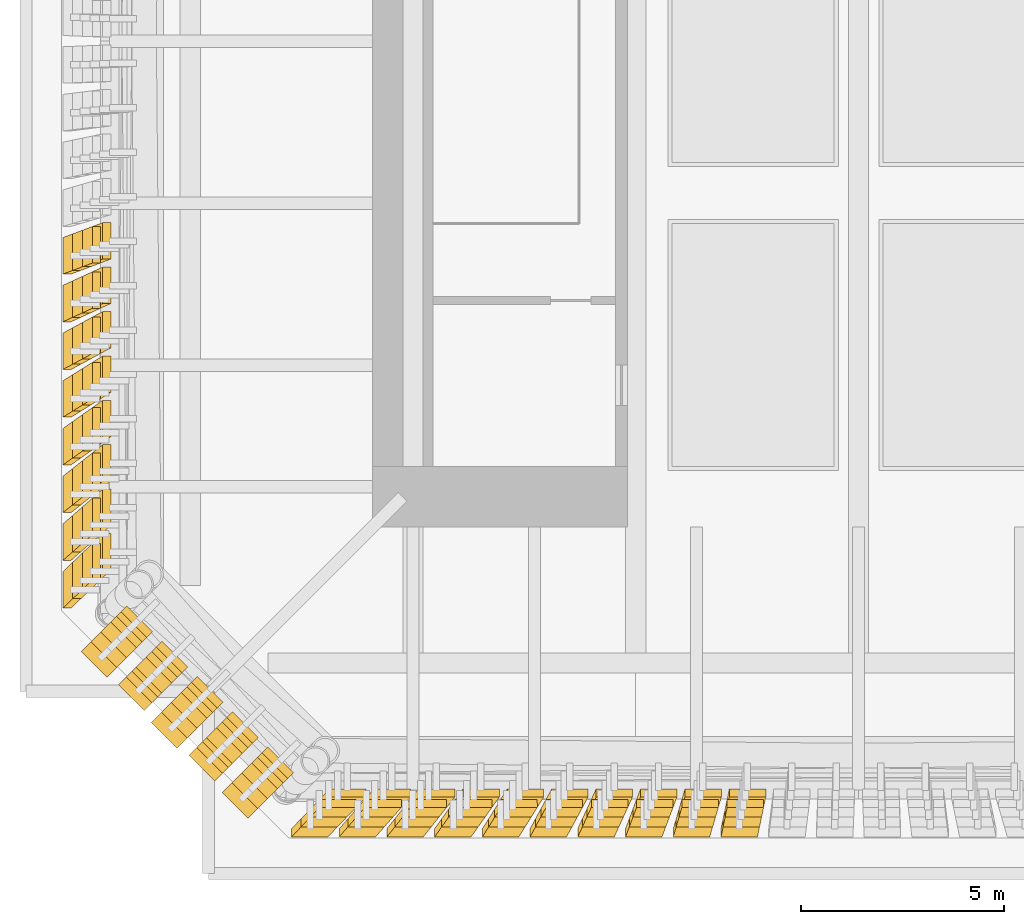
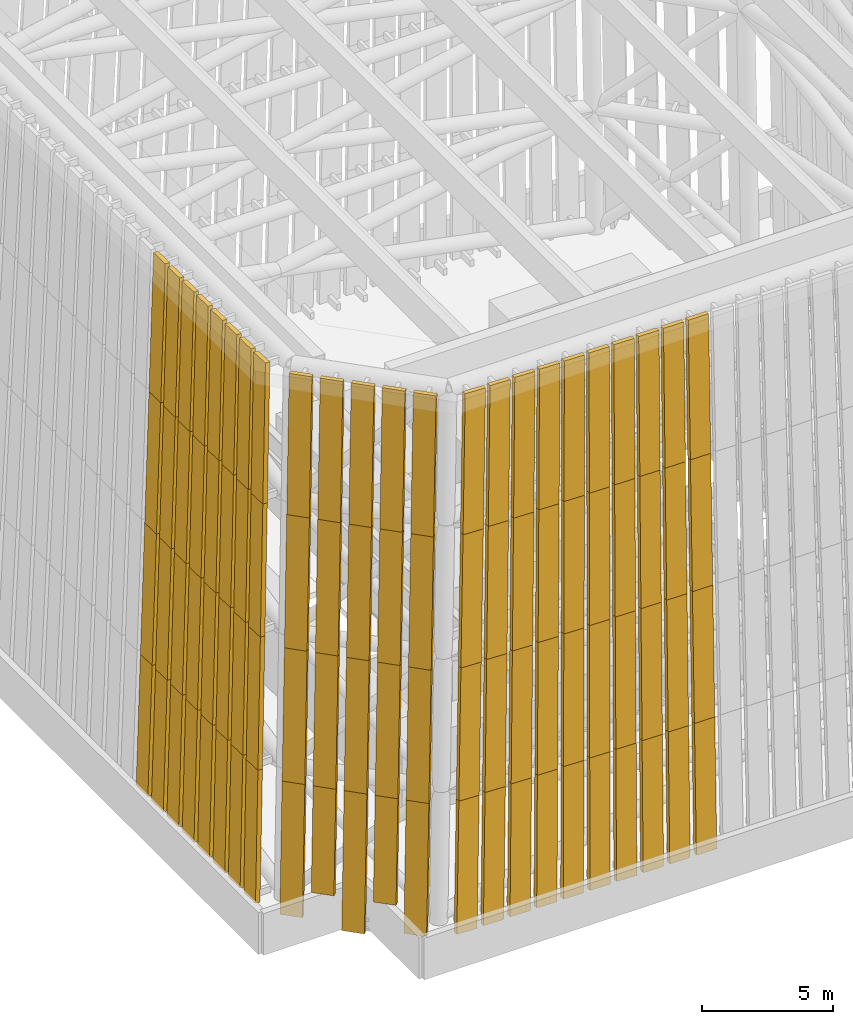
# One storey, part 7 of 13: 92 shading devices.
"""IFC4 building model written with IfcOpenShell, lengths in metres."""

from ifc_helpers import new_model, si_unit, direction, frame, origin, origin_2d, place, context, subcontext, project, spatial, rectangle, extrude, source, transform, mapped, material, material_profile, profile_set, type_object, element, save


model = new_model("IFC4")

# Units and contexts
model_context = context("Model", 3, precision=1e-05, world=origin(), true_north=direction((0.0, 1.0)))
body_context = subcontext(model_context, "Body", "Model", "MODEL_VIEW")
ifc_project = project(units=[si_unit("LENGTHUNIT", "METRE"), si_unit("AREAUNIT", "SQUARE_METRE"), si_unit("VOLUMEUNIT", "CUBIC_METRE"), si_unit("PLANEANGLEUNIT", "RADIAN"), si_unit("MASSUNIT", "GRAM", prefix="KILO")], contexts=[model_context])

# Site, building, storey
site_placement = place(None, origin())
site = spatial("IfcSite", under=ifc_project, at=site_placement, CompositionType="ELEMENT")
building_placement = place(site_placement, origin())
building = spatial("IfcBuilding", under=site, at=building_placement, Name="Peilmerk Tower", CompositionType="ELEMENT")
storey_placement = place(building_placement, frame((0.0, 0.0, 307.800048828125)))
storey = spatial("IfcBuildingStorey", under=building, at=storey_placement, Name="RF", CompositionType="ELEMENT", Elevation=307.800048828125)

# Shading devices
ifc_material = material(Name="GRP composite, board-marked concrete finish", Category="concrete")
ifc_material_profile = material_profile(ifc_material, rectangle(XDim=0.199951171875, YDim=0.89990234375, at=origin_2d()), Name="CF1 200x900")
ifc_profile_set = profile_set([ifc_material_profile], Name="GRP composite, board-marked concrete finish")
shading_device_type = type_object("IfcShadingDeviceType", Name="CF1 200x900 GRP crown fin", PredefinedType="USERDEFINED", material=ifc_profile_set)
shared_shape_1 = source(origin(), body_context, "Body", "SweptSolid", [
    extrude(rectangle(XDim=0.199951171875, YDim=0.89990234375, at=origin_2d()), origin(), (0.0, 0.0, 1.0), 6.009765625),
])
for number, where, z_axis, x_axis, name in (
    (1, (-15.31689453125, -18.796875, 0.0), (0.040258485407, 0.040258485407, 0.998377938811), (-0.705959810721, -0.705959810721, 0.056934096063), "Crown fin CF1 SW_S 1 tier 1"),
    (2, (-15.074951171875, -18.554931640625, 6.0), (0.040258485407, 0.040258485407, 0.998377938811), (-0.705959810721, -0.705959810721, 0.056934096063), "Crown fin CF1 SW_S 1 tier 2"),
    (3, (-14.8330078125, -18.31298828125, 12.0), (0.040258485407, 0.040258485407, 0.998377938811), (-0.705959810721, -0.705959810721, 0.056934096063), "Crown fin CF1 SW_S 1 tier 3"),
    (4, (-15.94482421875, -17.684814453125, 6.0), (0.040258485407, 0.040258485407, 0.998377938811), (-0.705959810721, -0.705959810721, 0.056934096063), "Crown fin CF1 SW_S 2 tier 2"),
    (5, (-15.702880859375, -17.44287109375, 12.0), (0.040258485407, 0.040258485407, 0.998377938811), (-0.705959810721, -0.705959810721, 0.056934096063), "Crown fin CF1 SW_S 2 tier 3"),
    (6, (-16.81494140625, -16.81494140625, 6.0), (0.040258485407, 0.040258485407, 0.998377938811), (-0.705959810721, -0.705959810721, 0.056934096063), "Crown fin CF1 SW_S 3 tier 2"),
    (7, (-16.572998046875, -16.572998046875, 12.0), (0.040258485407, 0.040258485407, 0.998377938811), (-0.705959810721, -0.705959810721, 0.056934096063), "Crown fin CF1 SW_S 3 tier 3"),
    (8, (-17.684814453125, -15.94482421875, 6.0), (0.040258485407, 0.040258485407, 0.998377938811), (-0.705959810721, -0.705959810721, 0.056934096063), "Crown fin CF1 SW_S 4 tier 2"),
    (9, (-17.44287109375, -15.702880859375, 12.0), (0.040258485407, 0.040258485407, 0.998377938811), (-0.705959810721, -0.705959810721, 0.056934096063), "Crown fin CF1 SW_S 4 tier 3"),
    (10, (-18.796875, -15.31689453125, 0.0), (0.040258485407, 0.040258485407, 0.998377938811), (-0.705959810721, -0.705959810721, 0.056934096063), "Crown fin CF1 SW_S 5 tier 1"),
    (11, (-18.554931640625, -15.074951171875, 6.0), (0.040258485407, 0.040258485407, 0.998377938811), (-0.705959810721, -0.705959810721, 0.056934096063), "Crown fin CF1 SW_S 5 tier 2"),
    (12, (-18.31298828125, -14.8330078125, 12.0), (0.040258485407, 0.040258485407, 0.998377938811), (-0.705959810721, -0.705959810721, 0.056934096063), "Crown fin CF1 SW_S 5 tier 3"),
):
    element("IfcShadingDevice", number, at=place(storey_placement, frame(where, z_axis=z_axis, x_axis=x_axis)), inside=storey, type_object=shading_device_type, Name=name, ObjectType="CROWN FIN", PredefinedType="USERDEFINED", context=body_context, shape_type="MappedRepresentation", body=[
        mapped(shared_shape_1, transform((0.0, 0.0, 0.0), scale=1.0)),
    ])
shared_shape_2 = source(origin(), body_context, "Body", "SweptSolid", [
    extrude(rectangle(XDim=0.199951171875, YDim=0.89990234375, at=origin_2d()), origin(), (0.0, 0.0, 1.0), 6.36572265625),
])
for number, where, z_axis, x_axis, name in (
    (13, (-14.591064453125, -18.071044921875, 18.0), (0.040269510679, 0.040269510679, 0.998377049526), (-0.705959181901, -0.705959181901, 0.056949688153), "Crown fin CF1 SW_S 1 tier 4"),
    (14, (-15.4609375, -17.200927734375, 18.0), (0.040231282973, 0.040231282973, 0.998380131884), (-0.705961361457, -0.705961361457, 0.056895626012), "Crown fin CF1 SW_S 2 tier 4"),
    (15, (-16.3310546875, -16.3310546875, 18.0), (0.040269510679, 0.040269510679, 0.998377049526), (-0.705959181901, -0.705959181901, 0.056949688153), "Crown fin CF1 SW_S 3 tier 4"),
    (16, (-17.200927734375, -15.4609375, 18.0), (0.040231282973, 0.040231282973, 0.998380131884), (-0.705961361457, -0.705961361457, 0.056895626012), "Crown fin CF1 SW_S 4 tier 4"),
    (17, (-18.071044921875, -14.591064453125, 18.0), (0.040269510679, 0.040269510679, 0.998377049526), (-0.705959181901, -0.705959181901, 0.056949688153), "Crown fin CF1 SW_S 5 tier 4"),
):
    element("IfcShadingDevice", number, at=place(storey_placement, frame(where, z_axis=z_axis, x_axis=x_axis)), inside=storey, type_object=shading_device_type, Name=name, ObjectType="CROWN FIN", PredefinedType="USERDEFINED", context=body_context, shape_type="MappedRepresentation", body=[
        mapped(shared_shape_2, transform((0.0, 0.0, 0.0), scale=1.0)),
    ])
shared_shape_3 = source(origin(), body_context, "Body", "SweptSolid", [
    extrude(rectangle(XDim=0.199951171875, YDim=0.89990234375, at=origin_2d()), origin(), (0.0, 0.0, 1.0), 4.807861328125),
])
for number, where, z_axis, x_axis, name in (
    (18, (-16.138427734375, -17.87841796875, 1.199951171875), (0.040268200199, 0.040268200199, 0.99837715524), (-0.705959256652, -0.705959256652, 0.056947834853), "Crown fin CF1 SW_S 2 tier 1"),
    (19, (-17.87841796875, -16.138427734375, 1.199951171875), (0.040268200199, 0.040268200199, 0.99837715524), (-0.705959256652, -0.705959256652, 0.056947834853), "Crown fin CF1 SW_S 4 tier 1"),
):
    element("IfcShadingDevice", number, at=place(storey_placement, frame(where, z_axis=z_axis, x_axis=x_axis)), inside=storey, type_object=shading_device_type, Name=name, ObjectType="CROWN FIN", PredefinedType="USERDEFINED", context=body_context, shape_type="MappedRepresentation", body=[
        mapped(shared_shape_3, transform((0.0, 0.0, 0.0), scale=1.0)),
    ])
shared_shape_4 = source(origin(), body_context, "Body", "SweptSolid", [
    extrude(rectangle(XDim=0.199951171875, YDim=0.89990234375, at=origin_2d()), origin(), (0.0, 0.0, 1.0), 6.310302734375),
])
shading_device_1_placement = place(storey_placement, frame((-17.06884765625, -17.06884765625, -0.300048828125), z_axis=(0.040236964191, 0.040236964191, 0.998379673985), x_axis=(-0.705961037673, -0.705961037673, 0.056903660467)))
element("IfcShadingDevice", 20, at=shading_device_1_placement, inside=storey, type_object=shading_device_type, Name="Crown fin CF1 SW_S 3 tier 1", ObjectType="CROWN FIN", PredefinedType="USERDEFINED", context=body_context, shape_type="MappedRepresentation", body=[
    mapped(shared_shape_4, transform((0.0, 0.0, 0.0), scale=1.0)),
])
shared_shape_5 = source(origin(), body_context, "Body", "SweptSolid", [
    extrude(rectangle(XDim=0.199951171875, YDim=0.89990234375, at=origin_2d()), origin(), (0.0, 0.0, 1.0), 6.00927734375),
])
for number, where, z_axis, x_axis, name in (
    (21, (-13.54638671875, -19.541015625, 0.0), (0.038554865392, 0.040261192417, 0.998445070467), (0.001553524468, -0.999189189486, 0.040231208987), "Crown fin CF1 SE_S 24 tier 1"),
    (22, (-13.314697265625, -19.299072265625, 6.0), (0.03859543174, 0.04026112932, 0.99844350572), (0.001555156602, -0.999189192028, 0.040231082785), "Crown fin CF1 SE_S 24 tier 2"),
    (23, (-13.082763671875, -19.05712890625, 12.0), (0.03859543174, 0.04026112932, 0.99844350572), (0.001555156602, -0.999189192028, 0.040231082785), "Crown fin CF1 SE_S 24 tier 3"),
    (24, (-19.541015625, -13.54638671875, 0.0), (0.040261192417, 0.038554865392, 0.998445070467), (-0.999189189486, 0.001553524468, 0.040231208987), "Crown fin CF1 SW_W 1 tier 1"),
    (25, (-19.299072265625, -13.314697265625, 6.0), (0.04026112932, 0.03859543174, 0.99844350572), (-0.999189192028, 0.001555156602, 0.040231082785), "Crown fin CF1 SW_W 1 tier 2"),
    (26, (-19.05712890625, -13.082763671875, 12.0), (0.04026112932, 0.03859543174, 0.99844350572), (-0.999189192028, 0.001555156602, 0.040231082785), "Crown fin CF1 SW_W 1 tier 3"),
):
    element("IfcShadingDevice", number, at=place(storey_placement, frame(where, z_axis=z_axis, x_axis=x_axis)), inside=storey, type_object=shading_device_type, Name=name, ObjectType="CROWN FIN", PredefinedType="USERDEFINED", context=body_context, shape_type="MappedRepresentation", body=[
        mapped(shared_shape_5, transform((0.0, 0.0, 0.0), scale=1.0)),
    ])
shared_shape_6 = source(origin(), body_context, "Body", "SweptSolid", [
    extrude(rectangle(XDim=0.199951171875, YDim=0.89990234375, at=origin_2d()), origin(), (0.0, 0.0, 1.0), 6.365478515625),
])
for number, where, z_axis, x_axis, name in (
    (27, (-12.850830078125, -18.815185546875, 18.0), (0.038546296104, 0.040272249661, 0.9984449554), (0.001553606433, -0.999188743885, 0.040242271305), "Crown fin CF1 SE_S 24 tier 4"),
    (28, (-18.815185546875, -12.850830078125, 18.0), (0.040272249661, 0.038546296104, 0.9984449554), (-0.999188743885, 0.001553606433, 0.040242271305), "Crown fin CF1 SW_W 1 tier 4"),
):
    element("IfcShadingDevice", number, at=place(storey_placement, frame(where, z_axis=z_axis, x_axis=x_axis)), inside=storey, type_object=shading_device_type, Name=name, ObjectType="CROWN FIN", PredefinedType="USERDEFINED", context=body_context, shape_type="MappedRepresentation", body=[
        mapped(shared_shape_6, transform((0.0, 0.0, 0.0), scale=1.0)),
    ])
shared_shape_7 = source(origin(), body_context, "Body", "SweptSolid", [
    extrude(rectangle(XDim=0.199951171875, YDim=0.89990234375, at=origin_2d()), origin(), (0.0, 0.0, 1.0), 6.008544921875),
])
for number, where, z_axis, x_axis, name in (
    (29, (-12.36865234375, -19.541015625, 0.0), (0.035268375827, 0.040266083462, 0.998566364439), (0.001421272027, -0.999188992395, 0.040240992324), "Crown fin CF1 SE_S 23 tier 1"),
    (30, (-12.15673828125, -19.299072265625, 6.0), (0.035227794511, 0.040266141131, 0.99856779458), (0.001419638687, -0.999188990071, 0.040241107683), "Crown fin CF1 SE_S 23 tier 2"),
    (31, (-11.945068359375, -19.05712890625, 12.0), (0.035227794511, 0.040266141131, 0.99856779458), (0.001419638687, -0.999188990071, 0.040241107683), "Crown fin CF1 SE_S 23 tier 3"),
    (32, (-19.541015625, -12.36865234375, 0.0), (0.040266083462, 0.035268375827, 0.998566364439), (-0.999188992395, 0.001421272027, 0.040240992324), "Crown fin CF1 SW_W 2 tier 1"),
    (33, (-19.299072265625, -12.15673828125, 6.0), (0.040266141131, 0.035227794511, 0.99856779458), (-0.999188990071, 0.001419638687, 0.040241107683), "Crown fin CF1 SW_W 2 tier 2"),
    (34, (-19.05712890625, -11.945068359375, 12.0), (0.040266141131, 0.035227794511, 0.99856779458), (-0.999188990071, 0.001419638687, 0.040241107683), "Crown fin CF1 SW_W 2 tier 3"),
):
    element("IfcShadingDevice", number, at=place(storey_placement, frame(where, z_axis=z_axis, x_axis=x_axis)), inside=storey, type_object=shading_device_type, Name=name, ObjectType="CROWN FIN", PredefinedType="USERDEFINED", context=body_context, shape_type="MappedRepresentation", body=[
        mapped(shared_shape_7, transform((0.0, 0.0, 0.0), scale=1.0)),
    ])
shared_shape_8 = source(origin(), body_context, "Body", "SweptSolid", [
    extrude(rectangle(XDim=0.199951171875, YDim=0.89990234375, at=origin_2d()), origin(), (0.0, 0.0, 1.0), 6.364501953125),
])
for number, where, z_axis, x_axis, name in (
    (35, (-11.7333984375, -18.815185546875, 18.0), (0.035213786084, 0.040277206305, 0.998567842423), (0.00141946476, -0.999188544096, 0.040252185873), "Crown fin CF1 SE_S 23 tier 4"),
    (36, (-18.815185546875, -11.7333984375, 18.0), (0.040277206305, 0.035213786084, 0.998567842423), (-0.999188544096, 0.00141946476, 0.040252185873), "Crown fin CF1 SW_W 2 tier 4"),
):
    element("IfcShadingDevice", number, at=place(storey_placement, frame(where, z_axis=z_axis, x_axis=x_axis)), inside=storey, type_object=shading_device_type, Name=name, ObjectType="CROWN FIN", PredefinedType="USERDEFINED", context=body_context, shape_type="MappedRepresentation", body=[
        mapped(shared_shape_8, transform((0.0, 0.0, 0.0), scale=1.0)),
    ])
shared_shape_9 = source(origin(), body_context, "Body", "SweptSolid", [
    extrude(rectangle(XDim=0.199951171875, YDim=0.89990234375, at=origin_2d()), origin(), (0.0, 0.0, 1.0), 6.0078125),
])
for number, where, z_axis, x_axis, name in (
    (37, (-11.190673828125, -19.541015625, 0.0), (0.031899551915, 0.04027064452, 0.998679474996), (0.001285658431, -0.999188808579, 0.040250116676), "Crown fin CF1 SE_S 22 tier 1"),
    (38, (-10.9990234375, -19.299072265625, 6.0), (0.031858956815, 0.040270696689, 0.998680768744), (0.001284023979, -0.999188806477, 0.040250221046), "Crown fin CF1 SE_S 22 tier 2"),
    (39, (-10.8076171875, -19.05712890625, 12.0), (0.031899551915, 0.04027064452, 0.998679474996), (0.001285658431, -0.999188808579, 0.040250116676), "Crown fin CF1 SE_S 22 tier 3"),
    (40, (-19.541015625, -11.190673828125, 0.0), (0.04027064452, 0.031899551915, 0.998679474996), (-0.999188808579, 0.001285658431, 0.040250116676), "Crown fin CF1 SW_W 3 tier 1"),
    (41, (-19.299072265625, -10.9990234375, 6.0), (0.040270696689, 0.031858956815, 0.998680768744), (-0.999188806477, 0.001284023979, 0.040250221046), "Crown fin CF1 SW_W 3 tier 2"),
    (42, (-19.05712890625, -10.8076171875, 12.0), (0.04027064452, 0.031899551915, 0.998679474996), (-0.999188808579, 0.001285658431, 0.040250116676), "Crown fin CF1 SW_W 3 tier 3"),
):
    element("IfcShadingDevice", number, at=place(storey_placement, frame(where, z_axis=z_axis, x_axis=x_axis)), inside=storey, type_object=shading_device_type, Name=name, ObjectType="CROWN FIN", PredefinedType="USERDEFINED", context=body_context, shape_type="MappedRepresentation", body=[
        mapped(shared_shape_9, transform((0.0, 0.0, 0.0), scale=1.0)),
    ])
shared_shape_10 = source(origin(), body_context, "Body", "SweptSolid", [
    extrude(rectangle(XDim=0.199951171875, YDim=0.89990234375, at=origin_2d()), origin(), (0.0, 0.0, 1.0), 6.36376953125),
])
for number, where, z_axis, x_axis, name in (
    (43, (-10.615966796875, -18.815185546875, 18.0), (0.031880100984, 0.040281716045, 0.998679649594), (0.001285228315, -0.999188362298, 0.040261207578), "Crown fin CF1 SE_S 22 tier 4"),
    (44, (-18.815185546875, -10.615966796875, 18.0), (0.040281716045, 0.031880100984, 0.998679649594), (-0.999188362298, 0.001285228315, 0.040261207578), "Crown fin CF1 SW_W 3 tier 4"),
):
    element("IfcShadingDevice", number, at=place(storey_placement, frame(where, z_axis=z_axis, x_axis=x_axis)), inside=storey, type_object=shading_device_type, Name=name, ObjectType="CROWN FIN", PredefinedType="USERDEFINED", context=body_context, shape_type="MappedRepresentation", body=[
        mapped(shared_shape_10, transform((0.0, 0.0, 0.0), scale=1.0)),
    ])
shared_shape_11 = source(origin(), body_context, "Body", "SweptSolid", [
    extrude(rectangle(XDim=0.199951171875, YDim=0.89990234375, at=origin_2d()), origin(), (0.0, 0.0, 1.0), 6.00732421875),
])
for number, where, z_axis, x_axis, name in (
    (45, (-10.0126953125, -19.541015625, 0.0), (0.028529640468, 0.040274748865, 0.998781259445), (0.001149957131, -0.999188643152, 0.040258328266), "Crown fin CF1 SE_S 21 tier 1"),
    (46, (-9.84130859375, -19.299072265625, 6.0), (0.028529640468, 0.040274748865, 0.998781259445), (0.001149957131, -0.999188643152, 0.040258328266), "Crown fin CF1 SE_S 21 tier 2"),
    (47, (-9.669921875, -19.05712890625, 12.0), (0.028529640468, 0.040274748865, 0.998781259445), (0.001149957131, -0.999188643152, 0.040258328266), "Crown fin CF1 SE_S 21 tier 3"),
    (48, (-19.541015625, -10.0126953125, 0.0), (0.040274748865, 0.028529640468, 0.998781259445), (-0.999188643152, 0.001149957131, 0.040258328266), "Crown fin CF1 SW_W 4 tier 1"),
    (49, (-19.299072265625, -9.84130859375, 6.0), (0.040274748865, 0.028529640468, 0.998781259445), (-0.999188643152, 0.001149957131, 0.040258328266), "Crown fin CF1 SW_W 4 tier 2"),
    (50, (-19.05712890625, -9.669921875, 12.0), (0.040274748865, 0.028529640468, 0.998781259445), (-0.999188643152, 0.001149957131, 0.040258328266), "Crown fin CF1 SW_W 4 tier 3"),
):
    element("IfcShadingDevice", number, at=place(storey_placement, frame(where, z_axis=z_axis, x_axis=x_axis)), inside=storey, type_object=shading_device_type, Name=name, ObjectType="CROWN FIN", PredefinedType="USERDEFINED", context=body_context, shape_type="MappedRepresentation", body=[
        mapped(shared_shape_11, transform((0.0, 0.0, 0.0), scale=1.0)),
    ])
shared_shape_12 = source(origin(), body_context, "Body", "SweptSolid", [
    extrude(rectangle(XDim=0.199951171875, YDim=0.89990234375, at=origin_2d()), origin(), (0.0, 0.0, 1.0), 6.36328125),
])
for number, where, z_axis, x_axis, name in (
    (51, (-9.49853515625, -18.815185546875, 18.0), (0.028545351571, 0.040285778427, 0.998780365726), (0.001150906016, -0.999188198517, 0.040269335217), "Crown fin CF1 SE_S 21 tier 4"),
    (52, (-18.815185546875, -9.49853515625, 18.0), (0.040285778427, 0.028545351571, 0.998780365726), (-0.999188198517, 0.001150906016, 0.040269335217), "Crown fin CF1 SW_W 4 tier 4"),
):
    element("IfcShadingDevice", number, at=place(storey_placement, frame(where, z_axis=z_axis, x_axis=x_axis)), inside=storey, type_object=shading_device_type, Name=name, ObjectType="CROWN FIN", PredefinedType="USERDEFINED", context=body_context, shape_type="MappedRepresentation", body=[
        mapped(shared_shape_12, transform((0.0, 0.0, 0.0), scale=1.0)),
    ])
shared_shape_13 = source(origin(), body_context, "Body", "SweptSolid", [
    extrude(rectangle(XDim=0.199951171875, YDim=0.89990234375, at=origin_2d()), origin(), (0.0, 0.0, 1.0), 6.0068359375),
])
for number, where, z_axis, x_axis, name in (
    (53, (-8.834716796875, -19.541015625, 0.0), (0.025199374381, 0.040278354858, 0.998870685154), (0.001015813679, -0.999188497797, 0.040265543491), "Crown fin CF1 SE_S 20 tier 1"),
    (54, (-8.683349609375, -19.299072265625, 6.0), (0.025158755976, 0.040278396078, 0.998871707381), (0.001014177347, -0.999188496135, 0.040265625972), "Crown fin CF1 SE_S 20 tier 2"),
    (55, (-8.5322265625, -19.05712890625, 12.0), (0.025158755976, 0.040278396078, 0.998871707381), (0.001014177347, -0.999188496135, 0.040265625972), "Crown fin CF1 SE_S 20 tier 3"),
    (56, (-19.541015625, -8.834716796875, 0.0), (0.040278354858, 0.025199374381, 0.998870685154), (-0.999188497797, 0.001015813679, 0.040265543491), "Crown fin CF1 SW_W 5 tier 1"),
    (57, (-19.299072265625, -8.683349609375, 6.0), (0.040278396078, 0.025158755976, 0.998871707381), (-0.999188496135, 0.001014177347, 0.040265625972), "Crown fin CF1 SW_W 5 tier 2"),
    (58, (-19.05712890625, -8.5322265625, 12.0), (0.040278396078, 0.025158755976, 0.998871707381), (-0.999188496135, 0.001014177347, 0.040265625972), "Crown fin CF1 SW_W 5 tier 3"),
):
    element("IfcShadingDevice", number, at=place(storey_placement, frame(where, z_axis=z_axis, x_axis=x_axis)), inside=storey, type_object=shading_device_type, Name=name, ObjectType="CROWN FIN", PredefinedType="USERDEFINED", context=body_context, shape_type="MappedRepresentation", body=[
        mapped(shared_shape_13, transform((0.0, 0.0, 0.0), scale=1.0)),
    ])
shared_shape_14 = source(origin(), body_context, "Body", "SweptSolid", [
    extrude(rectangle(XDim=0.199951171875, YDim=0.89990234375, at=origin_2d()), origin(), (0.0, 0.0, 1.0), 6.362548828125),
])
for number, where, z_axis, x_axis, name in (
    (59, (-8.381103515625, -18.815185546875, 18.0), (0.025171302271, 0.040289431989, 0.998870946225), (0.001014961568, -0.999188051205, 0.040276645628), "Crown fin CF1 SE_S 20 tier 4"),
    (60, (-18.815185546875, -8.381103515625, 18.0), (0.040289431989, 0.025171302271, 0.998870946225), (-0.999188051205, 0.001014961568, 0.040276645628), "Crown fin CF1 SW_W 5 tier 4"),
):
    element("IfcShadingDevice", number, at=place(storey_placement, frame(where, z_axis=z_axis, x_axis=x_axis)), inside=storey, type_object=shading_device_type, Name=name, ObjectType="CROWN FIN", PredefinedType="USERDEFINED", context=body_context, shape_type="MappedRepresentation", body=[
        mapped(shared_shape_14, transform((0.0, 0.0, 0.0), scale=1.0)),
    ])
shared_shape_15 = source(origin(), body_context, "Body", "SweptSolid", [
    extrude(rectangle(XDim=0.199951171875, YDim=0.89990234375, at=origin_2d()), origin(), (0.0, 0.0, 1.0), 6.00634765625),
])
for number, where, z_axis, x_axis, name in (
    (61, (-7.65673828125, -19.541015625, 0.0), (0.021827641163, 0.04028155008, 0.998949924072), (0.000879965428, -0.999188368989, 0.040271937347), "Crown fin CF1 SE_S 19 tier 1"),
    (62, (-7.525634765625, -19.299072265625, 6.0), (0.021827641163, 0.04028155008, 0.998949924072), (0.000879965428, -0.999188368989, 0.040271937347), "Crown fin CF1 SE_S 19 tier 2"),
    (63, (-7.39453125, -19.05712890625, 12.0), (0.021787013099, 0.040281585786, 0.998950809553), (0.000878328317, -0.99918836755, 0.0402720088), "Crown fin CF1 SE_S 19 tier 3"),
    (64, (-19.541015625, -7.65673828125, 0.0), (0.04028155008, 0.021827641163, 0.998949924072), (-0.999188368989, 0.000879965428, 0.040271937347), "Crown fin CF1 SW_W 6 tier 1"),
    (65, (-19.299072265625, -7.525634765625, 6.0), (0.04028155008, 0.021827641163, 0.998949924072), (-0.999188368989, 0.000879965428, 0.040271937347), "Crown fin CF1 SW_W 6 tier 2"),
    (66, (-19.05712890625, -7.39453125, 12.0), (0.040281585786, 0.021787013099, 0.998950809553), (-0.99918836755, 0.000878328317, 0.0402720088), "Crown fin CF1 SW_W 6 tier 3"),
):
    element("IfcShadingDevice", number, at=place(storey_placement, frame(where, z_axis=z_axis, x_axis=x_axis)), inside=storey, type_object=shading_device_type, Name=name, ObjectType="CROWN FIN", PredefinedType="USERDEFINED", context=body_context, shape_type="MappedRepresentation", body=[
        mapped(shared_shape_15, transform((0.0, 0.0, 0.0), scale=1.0)),
    ])
shared_shape_16 = source(origin(), body_context, "Body", "SweptSolid", [
    extrude(rectangle(XDim=0.199951171875, YDim=0.89990234375, at=origin_2d()), origin(), (0.0, 0.0, 1.0), 6.362060546875),
])
for number, where, z_axis, x_axis, name in (
    (67, (-7.263671875, -18.815185546875, 18.0), (0.021834748195, 0.04029259333, 0.998949323386), (0.000880493657, -0.999187923727, 0.04028297169), "Crown fin CF1 SE_S 19 tier 4"),
    (68, (-18.815185546875, -7.263671875, 18.0), (0.04029259333, 0.021834748195, 0.998949323386), (-0.999187923727, 0.000880493657, 0.04028297169), "Crown fin CF1 SW_W 6 tier 4"),
):
    element("IfcShadingDevice", number, at=place(storey_placement, frame(where, z_axis=z_axis, x_axis=x_axis)), inside=storey, type_object=shading_device_type, Name=name, ObjectType="CROWN FIN", PredefinedType="USERDEFINED", context=body_context, shape_type="MappedRepresentation", body=[
        mapped(shared_shape_16, transform((0.0, 0.0, 0.0), scale=1.0)),
    ])
shared_shape_17 = source(origin(), body_context, "Body", "SweptSolid", [
    extrude(rectangle(XDim=0.199951171875, YDim=0.89990234375, at=origin_2d()), origin(), (0.0, 0.0, 1.0), 6.005859375),
])
for number, where, z_axis, x_axis, name in (
    (69, (-6.478759765625, -19.541015625, 0.0), (0.01845516298, 0.040284287473, 0.999017809222), (0.000744057073, -0.999188258629, 0.040277415462), "Crown fin CF1 SE_S 18 tier 1"),
    (70, (-6.367919921875, -19.299072265625, 6.0), (0.01845516298, 0.040284287473, 0.999017809222), (0.000744057073, -0.999188258629, 0.040277415462), "Crown fin CF1 SE_S 18 tier 2"),
    (71, (-6.257080078125, -19.05712890625, 12.0), (0.018495799227, 0.040284257218, 0.999017058929), (0.000745694844, -0.999188259849, 0.040277354914), "Crown fin CF1 SE_S 18 tier 3"),
    (72, (-19.541015625, -6.478759765625, 0.0), (0.040284287473, 0.01845516298, 0.999017809222), (-0.999188258629, 0.000744057073, 0.040277415462), "Crown fin CF1 SW_W 7 tier 1"),
    (73, (-19.299072265625, -6.367919921875, 6.0), (0.040284287473, 0.01845516298, 0.999017809222), (-0.999188258629, 0.000744057073, 0.040277415462), "Crown fin CF1 SW_W 7 tier 2"),
    (74, (-19.05712890625, -6.257080078125, 12.0), (0.040284257218, 0.018495799227, 0.999017058929), (-0.999188259849, 0.000745694844, 0.040277354914), "Crown fin CF1 SW_W 7 tier 3"),
):
    element("IfcShadingDevice", number, at=place(storey_placement, frame(where, z_axis=z_axis, x_axis=x_axis)), inside=storey, type_object=shading_device_type, Name=name, ObjectType="CROWN FIN", PredefinedType="USERDEFINED", context=body_context, shape_type="MappedRepresentation", body=[
        mapped(shared_shape_17, transform((0.0, 0.0, 0.0), scale=1.0)),
    ])
shared_shape_18 = source(origin(), body_context, "Body", "SweptSolid", [
    extrude(rectangle(XDim=0.199951171875, YDim=0.89990234375, at=origin_2d()), origin(), (0.0, 0.0, 1.0), 6.36181640625),
])
for number, where, z_axis, x_axis, name in (
    (75, (-6.14599609375, -18.815185546875, 18.0), (0.018459100989, 0.040295334799, 0.999017290934), (0.000744420263, -0.999187813173, 0.040288457963), "Crown fin CF1 SE_S 18 tier 4"),
    (76, (-18.815185546875, -6.14599609375, 18.0), (0.040295334799, 0.018459100989, 0.999017290934), (-0.999187813173, 0.000744420263, 0.040288457963), "Crown fin CF1 SW_W 7 tier 4"),
):
    element("IfcShadingDevice", number, at=place(storey_placement, frame(where, z_axis=z_axis, x_axis=x_axis)), inside=storey, type_object=shading_device_type, Name=name, ObjectType="CROWN FIN", PredefinedType="USERDEFINED", context=body_context, shape_type="MappedRepresentation", body=[
        mapped(shared_shape_18, transform((0.0, 0.0, 0.0), scale=1.0)),
    ])
shared_shape_19 = source(origin(), body_context, "Body", "SweptSolid", [
    extrude(rectangle(XDim=0.199951171875, YDim=0.89990234375, at=origin_2d()), origin(), (0.0, 0.0, 1.0), 6.005615234375),
])
for number, where, z_axis, x_axis, name in (
    (77, (-5.30078125, -19.541015625, 0.0), (0.015122697914, 0.040286542024, 0.999073720273), (0.000609736209, -0.99918816773, 0.040281927586), "Crown fin CF1 SE_S 17 tier 1"),
    (78, (-5.2099609375, -19.299072265625, 6.0), (0.01508205476, 0.040286566758, 0.999074333652), (0.00060809788, -0.999188166733, 0.040281977088), "Crown fin CF1 SE_S 17 tier 2"),
    (79, (-5.119384765625, -19.05712890625, 12.0), (0.015122697914, 0.040286542024, 0.999073720273), (0.000609736209, -0.99918816773, 0.040281927586), "Crown fin CF1 SE_S 17 tier 3"),
    (80, (-19.541015625, -5.30078125, 0.0), (0.040286542024, 0.015122697914, 0.999073720273), (-0.99918816773, 0.000609736209, 0.040281927586), "Crown fin CF1 SW_W 8 tier 1"),
    (81, (-19.299072265625, -5.2099609375, 6.0), (0.040286566758, 0.01508205476, 0.999074333652), (-0.999188166733, 0.00060809788, 0.040281977088), "Crown fin CF1 SW_W 8 tier 2"),
    (82, (-19.05712890625, -5.119384765625, 12.0), (0.040286542024, 0.015122697914, 0.999073720273), (-0.99918816773, 0.000609736209, 0.040281927586), "Crown fin CF1 SW_W 8 tier 3"),
):
    element("IfcShadingDevice", number, at=place(storey_placement, frame(where, z_axis=z_axis, x_axis=x_axis)), inside=storey, type_object=shading_device_type, Name=name, ObjectType="CROWN FIN", PredefinedType="USERDEFINED", context=body_context, shape_type="MappedRepresentation", body=[
        mapped(shared_shape_19, transform((0.0, 0.0, 0.0), scale=1.0)),
    ])
shared_shape_20 = source(origin(), body_context, "Body", "SweptSolid", [
    extrude(rectangle(XDim=0.199951171875, YDim=0.89990234375, at=origin_2d()), origin(), (0.0, 0.0, 1.0), 6.361328125),
])
for number, where, z_axis, x_axis, name in (
    (83, (-5.028564453125, -18.815185546875, 18.0), (0.015082822427, 0.040297617172, 0.999073876406), (0.00060829591, -0.999187721127, 0.040293025772), "Crown fin CF1 SE_S 17 tier 4"),
    (84, (-18.815185546875, -5.028564453125, 18.0), (0.040297617172, 0.015082822427, 0.999073876406), (-0.999187721127, 0.00060829591, 0.040293025772), "Crown fin CF1 SW_W 8 tier 4"),
):
    element("IfcShadingDevice", number, at=place(storey_placement, frame(where, z_axis=z_axis, x_axis=x_axis)), inside=storey, type_object=shading_device_type, Name=name, ObjectType="CROWN FIN", PredefinedType="USERDEFINED", context=body_context, shape_type="MappedRepresentation", body=[
        mapped(shared_shape_20, transform((0.0, 0.0, 0.0), scale=1.0)),
    ])
shared_shape_21 = source(origin(), body_context, "Body", "SweptSolid", [
    extrude(rectangle(XDim=0.199951171875, YDim=0.89990234375, at=origin_2d()), origin(), (0.0, 0.0, 1.0), 6.00537109375),
])
for number, where, z_axis, x_axis, name in (
    (85, (-4.122802734375, -19.541015625, 0.0), (0.011749080216, 0.040288368491, 0.999119015172), (0.000473735902, -0.999188094087, 0.040285583153), "Crown fin CF1 SE_S 16 tier 1"),
    (86, (-4.05224609375, -19.299072265625, 6.0), (0.011749080216, 0.040288368491, 0.999119015172), (0.000473735902, -0.999188094087, 0.040285583153), "Crown fin CF1 SE_S 16 tier 2"),
    (87, (-3.981689453125, -19.05712890625, 12.0), (0.011749080216, 0.040288368491, 0.999119015172), (0.000473735902, -0.999188094087, 0.040285583153), "Crown fin CF1 SE_S 16 tier 3"),
):
    element("IfcShadingDevice", number, at=place(storey_placement, frame(where, z_axis=z_axis, x_axis=x_axis)), inside=storey, type_object=shading_device_type, Name=name, ObjectType="CROWN FIN", PredefinedType="USERDEFINED", context=body_context, shape_type="MappedRepresentation", body=[
        mapped(shared_shape_21, transform((0.0, 0.0, 0.0), scale=1.0)),
    ])
shared_shape_22 = source(origin(), body_context, "Body", "SweptSolid", [
    extrude(rectangle(XDim=0.199951171875, YDim=0.89990234375, at=origin_2d()), origin(), (0.0, 0.0, 1.0), 6.361083984375),
])
shading_device_2_placement = place(storey_placement, frame((-3.9111328125, -18.815185546875, 18.0), z_axis=(0.011744403006, 0.04029942208, 0.999118624378), x_axis=(0.000473677446, -0.999187648332, 0.040296638193)))
element("IfcShadingDevice", 88, at=shading_device_2_placement, inside=storey, type_object=shading_device_type, Name="Crown fin CF1 SE_S 16 tier 4", ObjectType="CROWN FIN", PredefinedType="USERDEFINED", context=body_context, shape_type="MappedRepresentation", body=[
    mapped(shared_shape_22, transform((0.0, 0.0, 0.0), scale=1.0)),
])
shared_shape_23 = source(origin(), body_context, "Body", "SweptSolid", [
    extrude(rectangle(XDim=0.199951171875, YDim=0.89990234375, at=origin_2d()), origin(), (0.0, 0.0, 1.0), 6.005126953125),
])
for number, where, z_axis, x_axis, name in (
    (89, (-2.94482421875, -19.541015625, 0.0), (0.008375061256, 0.040289736431, 0.999152938987), (0.000337703212, -0.999188038929, 0.040288321115), "Crown fin CF1 SE_S 15 tier 1"),
    (90, (-2.89453125, -19.299072265625, 6.0), (0.008415714021, 0.04028972268, 0.999152597957), (0.000339342317, -0.999188039483, 0.04028829359), "Crown fin CF1 SE_S 15 tier 2"),
    (91, (-2.843994140625, -19.05712890625, 12.0), (0.008375061256, 0.040289736431, 0.999152938987), (0.000337703212, -0.999188038929, 0.040288321115), "Crown fin CF1 SE_S 15 tier 3"),
):
    element("IfcShadingDevice", number, at=place(storey_placement, frame(where, z_axis=z_axis, x_axis=x_axis)), inside=storey, type_object=shading_device_type, Name=name, ObjectType="CROWN FIN", PredefinedType="USERDEFINED", context=body_context, shape_type="MappedRepresentation", body=[
        mapped(shared_shape_23, transform((0.0, 0.0, 0.0), scale=1.0)),
    ])
shared_shape_24 = source(origin(), body_context, "Body", "SweptSolid", [
    extrude(rectangle(XDim=0.199951171875, YDim=0.89990234375, at=origin_2d()), origin(), (0.0, 0.0, 1.0), 6.36083984375),
])
shading_device_3_placement = place(storey_placement, frame((-2.793701171875, -18.815185546875, 18.0), z_axis=(0.00840559081, 0.040300777858, 0.999152237323), x_axis=(0.000339027276, -0.99918759365, 0.040299351812)))
element("IfcShadingDevice", 92, at=shading_device_3_placement, inside=storey, type_object=shading_device_type, Name="Crown fin CF1 SE_S 15 tier 4", ObjectType="CROWN FIN", PredefinedType="USERDEFINED", context=body_context, shape_type="MappedRepresentation", body=[
    mapped(shared_shape_24, transform((0.0, 0.0, 0.0), scale=1.0)),
])

save(model, "model.ifc")
